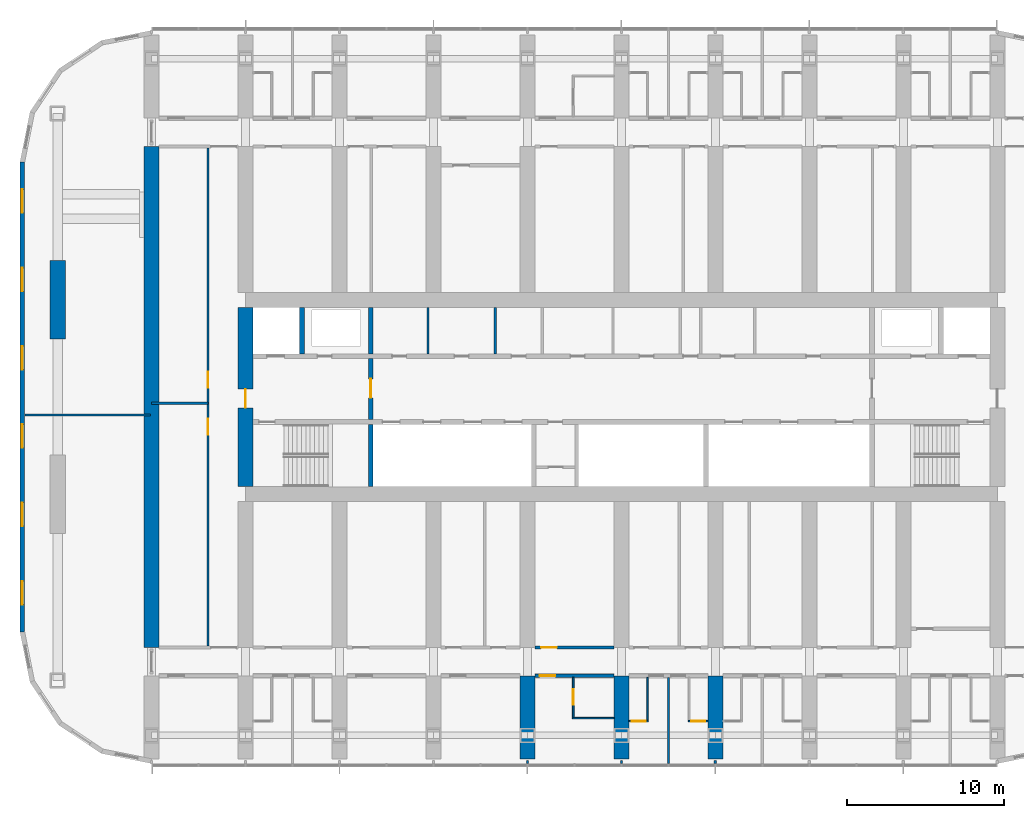
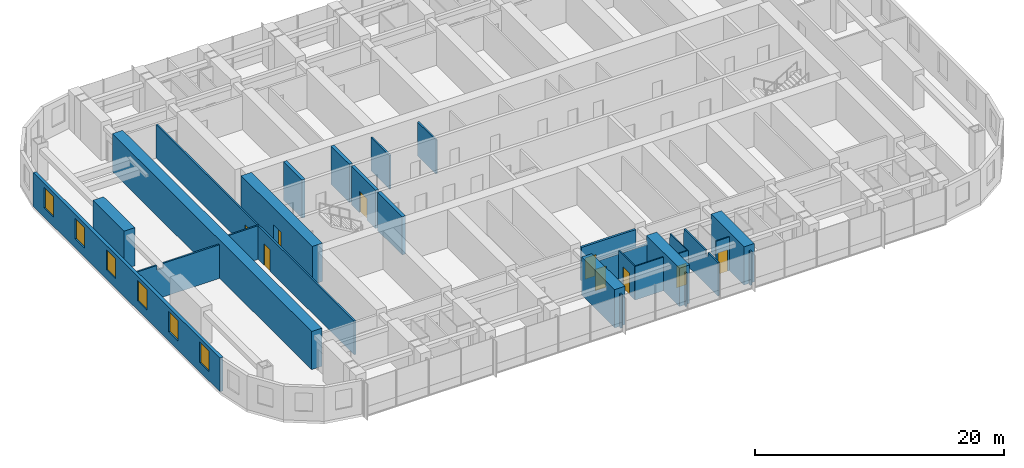
# One storey, part 9 of 21: 27 walls, 9 doors, 6 windows, 15 openings.
"""IFC4 building model written with IfcOpenShell, lengths in metres."""

from ifc_helpers import new_model, si_unit, direction, frame, frame_2d, origin, place, context, subcontext, project, spatial, polyline, rectangle, outline, extrude, material, layer, layer_set, type_object, element, fill, save


model = new_model("IFC4")

# Units and contexts
model_context = context("Model", 3, precision=1e-05, world=origin(), true_north=direction((0.0, 1.0)))
body_context = subcontext(model_context, "Body", "Model", "MODEL_VIEW")
ifc_project = project(units=[si_unit("LENGTHUNIT", "METRE"), si_unit("AREAUNIT", "SQUARE_METRE"), si_unit("VOLUMEUNIT", "CUBIC_METRE"), si_unit("PLANEANGLEUNIT", "RADIAN"), si_unit("MASSUNIT", "GRAM", prefix="KILO")], contexts=[model_context])

# Site, building, storey
site_placement = place(None, origin())
site = spatial("IfcSite", under=ifc_project, at=site_placement, CompositionType="ELEMENT")
building_placement = place(site_placement, origin())
building = spatial("IfcBuilding", under=site, at=building_placement, Name="Orbita Commons", CompositionType="ELEMENT")
storey_placement = place(building_placement, frame((0.0, 0.0, 110.64990234375)))
storey = spatial("IfcBuildingStorey", under=building, at=storey_placement, Name="L27", CompositionType="ELEMENT", Elevation=110.64990234375)

# Wall
ifc_material_1 = material(Name="Concrete C50/60", Category="concrete")
ifc_layer_1 = layer(ifc_material_1, 0.300048828125)
ifc_layer_set_1 = layer_set([ifc_layer_1], Name="Concrete C50/60")
wall_type_1 = type_object("IfcWallType", Name="Core inner wall 300 C50/60", PredefinedType="SHEAR", material=ifc_layer_set_1)
wall_1_placement = place(storey_placement, frame((26.0, 26.27490234375, 0.0), z_axis=(0.0, 0.0, 1.0), x_axis=(0.0, 1.0, 0.0)))
element("IfcWall", 1, at=wall_1_placement, inside=storey, type_object=wall_type_1, Name="Stair S1 wall L27", PredefinedType="SHEAR", context=body_context, shape_type="SweptSolid", body=[
    extrude(rectangle(XDim=3.97509765625, YDim=0.300048828125, at=frame_2d((1.987548828125, 0.0))), origin(), (0.0, 0.0, 1.0), 3.75),
])

# Wall, opening, door
wall_2_placement = place(storey_placement, frame((26.0, 30.550048828125, 0.0), z_axis=(0.0, 0.0, 1.0), x_axis=(0.0, 1.0, 0.0)))
wall_2 = element("IfcWall", 2, at=wall_2_placement, inside=storey, type_object=wall_type_1, Name="Firefighting lobby wall west L27", PredefinedType="SHEAR", context=body_context, shape_type="SweptSolid", body=[
    extrude(rectangle(XDim=3.89990234375, YDim=0.300048828125, at=frame_2d((1.949951171875, 0.0))), origin(), (0.0, 0.0, 1.0), 3.75),
])
opening_1_placement = place(wall_2_placement, frame((1.39990234375, 0.0, 0.0)))
opening_1 = element("IfcOpeningElement", 3, at=opening_1_placement, cuts=wall_2, Name="Opening D04", PredefinedType="OPENING", context=body_context, shape_type="SweptSolid", body=[
    extrude(rectangle(XDim=1.199951171875, YDim=2.10009765625, at=frame_2d((0.60009765625, 1.050048828125))), frame((0.0, 0.159912109375, 0.0), z_axis=(0.0, -1.0, 0.0), x_axis=(1.0, 0.0, 0.0)), (0.0, 0.0, 1.0), 0.320068359375),
])
ifc_material_2 = material(Name="Steel-faced fire door leaf", Category="steel")
door_type_1 = type_object("IfcDoorType", Name="Service door 20 min 1200x2100", OperationType="SINGLE_SWING_LEFT", PredefinedType="DOOR", material=ifc_material_2)
door_1_placement = place(opening_1_placement, origin())
door_1 = element("IfcDoor", 4, at=door_1_placement, inside=storey, type_object=door_type_1, Name="Lift lobby door west", OperationType="SINGLE_SWING_LEFT", OverallHeight=2.10009765625, OverallWidth=1.199951171875, PredefinedType="DOOR", context=body_context, shape_type="SweptSolid", body=[
    extrude(rectangle(XDim=1.199951171875, YDim=2.10009765625, at=frame_2d((0.60009765625, 1.050048828125))), frame((0.0, 0.02490234375, 0.0), z_axis=(0.0, -1.0, 0.0), x_axis=(1.0, 0.0, 0.0)), (0.0, 0.0, 1.0), 0.050048828125),
])
fill(opening_1, door_1)

# Walls
for number, where, z_axis, x_axis, name in (
    (5, (21.60009765625, 34.75, 0.0), (0.0, 0.0, 1.0), (0.0, 1.0, 0.0), "Firefighting lift FL1 shaft wall L27"),
    (6, (26.0, 34.75, 0.0), (0.0, 0.0, 1.0), (0.0, 1.0, 0.0), "Riser wall west L27"),
):
    element("IfcWall", number, at=place(storey_placement, frame(where, z_axis=z_axis, x_axis=x_axis)), inside=storey, type_object=wall_type_1, Name=name, PredefinedType="SHEAR", context=body_context, shape_type="SweptSolid", body=[
        extrude(rectangle(XDim=2.97509765625, YDim=0.300048828125, at=frame_2d((1.487548828125, 0.0))), origin(), (0.0, 0.0, 1.0), 3.75),
    ])
ifc_material_3 = material(Name="Concrete blockwork", Category="masonry")
ifc_layer_2 = layer(ifc_material_3, 0.14990234375)
ifc_layer_set_2 = layer_set([ifc_layer_2], Name="Concrete blockwork")
wall_type_2 = type_object("IfcWallType", Name="Core partition 150 blockwork", PredefinedType="SOLIDWALL", material=ifc_layer_set_2)
for number, where, z_axis, x_axis, name in (
    (7, (29.65087890625, 34.75, 0.0), (0.0, 0.0, 1.0), (0.0, 1.0, 0.0), "Core partition 150 blockwork L27"),
    (8, (33.9462890625, 34.75, 0.0), (0.0, 0.0, 1.0), (0.0, 1.0, 0.0), "Core partition 150 blockwork L27"),
):
    element("IfcWall", number, at=place(storey_placement, frame(where, z_axis=z_axis, x_axis=x_axis)), inside=storey, type_object=wall_type_2, Name=name, PredefinedType="SOLIDWALL", context=body_context, shape_type="SweptSolid", body=[
        extrude(rectangle(XDim=2.97509765625, YDim=0.14990234375, at=frame_2d((1.487548828125, 0.0))), origin(), (0.0, 0.0, 1.0), 3.300048828125),
    ])

# Wall, opening, door
ifc_material_4 = material(Name="Concrete C50/60", Category="concrete")
ifc_layer_3 = layer(ifc_material_4, 0.949951171875)
ifc_layer_set_3 = layer_set([ifc_layer_3], Name="Concrete C50/60")
wall_type_3 = type_object("IfcWallType", Name="Core wall 950 C50/60", PredefinedType="SHEAR", material=ifc_layer_set_3)
wall_3_placement = place(storey_placement, frame((18.0, 26.27490234375, 0.0), z_axis=(0.0, 0.0, 1.0), x_axis=(0.0, 1.0, 0.0)))
wall_3 = element("IfcWall", 9, at=wall_3_placement, inside=storey, type_object=wall_type_3, Name="Core end wall west L27", PredefinedType="SHEAR", context=body_context, shape_type="SweptSolid", body=[
    extrude(rectangle(XDim=11.4501953125, YDim=0.949951171875, at=frame_2d((5.72509765625, 0.0))), origin(), (0.0, 0.0, 1.0), 3.75),
])
opening_2_placement = place(wall_3_placement, frame((5.02490234375, 0.0, 0.0)))
opening_2 = element("IfcOpeningElement", 10, at=opening_2_placement, cuts=wall_3, Name="Opening D01", PredefinedType="OPENING", context=body_context, shape_type="SweptSolid", body=[
    extrude(rectangle(XDim=1.199951171875, YDim=2.10009765625, at=frame_2d((0.60009765625, 1.050048828125))), frame((0.0, 0.48486328125, 0.0), z_axis=(0.0, -1.0, 0.0), x_axis=(1.0, 0.0, 0.0)), (0.0, 0.0, 1.0), 0.969970703125),
])
ifc_material_5 = material(Name="Steel-faced fire door leaf", Category="steel")
door_type_2 = type_object("IfcDoorType", Name="Fire door 90 min 1200x2100", OperationType="SINGLE_SWING_LEFT", PredefinedType="DOOR", material=ifc_material_5)
door_2_placement = place(opening_2_placement, origin())
door_2 = element("IfcDoor", 11, at=door_2_placement, inside=storey, type_object=door_type_2, Name="Firefighting lobby west door", OperationType="SINGLE_SWING_LEFT", OverallHeight=2.10009765625, OverallWidth=1.199951171875, PredefinedType="DOOR", context=body_context, shape_type="SweptSolid", body=[
    extrude(rectangle(XDim=1.199951171875, YDim=2.10009765625, at=frame_2d((0.60009765625, 1.050048828125))), frame((0.0, 0.02490234375, 0.0), z_axis=(0.0, -1.0, 0.0), x_axis=(1.0, 0.0, 0.0)), (0.0, 0.0, 1.0), 0.050048828125),
])
fill(opening_2, door_2)

ifc_material_6 = material(Name="Concrete blockwork", Category="masonry")
ifc_layer_4 = layer(ifc_material_6, 0.199951171875)
ifc_layer_set_4 = layer_set([ifc_layer_4], Name="Concrete blockwork")
wall_type_4 = type_object("IfcWallType", Name="Corridor wall 200 blockwork", PredefinedType="SOLIDWALL", material=ifc_layer_set_4)
wall_4_placement = place(storey_placement, frame((36.47509765625, 14.199951171875, 0.0), z_axis=(0.0, 0.0, 1.0), x_axis=(1.0, 0.0, 0.0)))
wall_4 = element("IfcWall", 12, at=wall_4_placement, inside=storey, type_object=wall_type_4, Name="Corridor wall 200 blockwork L27", PredefinedType="SOLIDWALL", context=body_context, shape_type="SweptSolid", body=[
    extrude(outline(polyline([(0.0, 0.0), (5.0498046875, 0.0), (5.050048828125, 2.900146484375), (0.0, 2.900146484375), (0.0, 0.0)])), frame((0.0, 0.10009765625, 0.0), z_axis=(0.0, -1.0, 0.0), x_axis=(1.0, 0.0, 0.0)), (0.0, 0.0, 1.0), 0.199951171875),
])
opening_3_placement = place(wall_4_placement, frame((0.300048828125, 0.0, 0.0)))
opening_3 = element("IfcOpeningElement", 13, at=opening_3_placement, cuts=wall_4, Name="Opening D06", PredefinedType="OPENING", context=body_context, shape_type="SweptSolid", body=[
    extrude(rectangle(XDim=1.0, YDim=2.10009765625, at=frame_2d((0.5, 1.050048828125))), frame((0.0, 0.10986328125, 0.0), z_axis=(0.0, -1.0, 0.0), x_axis=(1.0, 0.0, 0.0)), (0.0, 0.0, 1.0), 0.219970703125),
])
ifc_material_7 = material(Name="Steel-faced fire door leaf", Category="steel")
door_type_3 = type_object("IfcDoorType", Name="Corridor door 20 min 1000x2100", OperationType="SINGLE_SWING_LEFT", PredefinedType="DOOR", material=ifc_material_7)
door_3_placement = place(opening_3_placement, origin())
door_3 = element("IfcDoor", 14, at=door_3_placement, inside=storey, type_object=door_type_3, Name="Accessible bedroom L27-S08 door", OperationType="SINGLE_SWING_LEFT", OverallHeight=2.10009765625, OverallWidth=1.0, PredefinedType="DOOR", context=body_context, shape_type="SweptSolid", body=[
    extrude(rectangle(XDim=1.0, YDim=2.10009765625, at=frame_2d((0.5, 1.050048828125))), frame((0.0, 0.02490234375, 0.0), z_axis=(0.0, -1.0, 0.0), x_axis=(1.0, 0.0, 0.0)), (0.0, 0.0, 1.0), 0.050048828125),
])
fill(opening_3, door_3)

ifc_material_8 = material(Name="Hollow concrete block 200", Category="concrete")
ifc_layer_5 = layer(ifc_material_8, 0.199951171875)
ifc_layer_set_5 = layer_set([ifc_layer_5], Name="Hollow concrete block 200")
wall_type_5 = type_object("IfcWallType", Name="Corridor wall 200 hollow concrete block", PredefinedType="SOLIDWALL", material=ifc_layer_set_5)
wall_5_placement = place(storey_placement, frame((36.47509765625, 16.0, 0.0), z_axis=(0.0, 0.0, 1.0), x_axis=(1.0, 0.0, 0.0)))
wall_5 = element("IfcWall", 15, at=wall_5_placement, inside=storey, type_object=wall_type_5, Name="Corridor wall 200 hollow concrete block L27", PredefinedType="SOLIDWALL", context=body_context, shape_type="SweptSolid", body=[
    extrude(rectangle(XDim=5.0498046875, YDim=0.199951171875, at=frame_2d((2.52490234375, 0.0))), origin(), (0.0, 0.0, 1.0), 3.300048828125),
])
opening_4_placement = place(wall_5_placement, frame((0.39990234375, 0.0, 0.0)))
opening_4 = element("IfcOpeningElement", 16, at=opening_4_placement, cuts=wall_5, Name="Opening D06", PredefinedType="OPENING", context=body_context, shape_type="SweptSolid", body=[
    extrude(rectangle(XDim=1.0, YDim=2.10009765625, at=frame_2d((0.5, 1.050048828125))), frame((0.0, 0.10986328125, 0.0), z_axis=(0.0, -1.0, 0.0), x_axis=(1.0, 0.0, 0.0)), (0.0, 0.0, 1.0), 0.219970703125),
])
door_4_placement = place(opening_4_placement, origin())
door_4 = element("IfcDoor", 17, at=door_4_placement, inside=storey, type_object=door_type_3, Name="IT and print room L27-BDS36 door", OperationType="SINGLE_SWING_LEFT", OverallHeight=2.10009765625, OverallWidth=1.0, PredefinedType="DOOR", context=body_context, shape_type="SweptSolid", body=[
    extrude(rectangle(XDim=1.0, YDim=2.10009765625, at=frame_2d((0.5, 1.050048828125))), frame((0.0, 0.02490234375, 0.0), z_axis=(0.0, -1.0, 0.0), x_axis=(1.0, 0.0, 0.0)), (0.0, 0.0, 1.0), 0.050048828125),
])
fill(opening_4, door_4)

# Walls
ifc_material_9 = material(Name="Concrete C50/60", Category="concrete")
ifc_layer_6 = layer(ifc_material_9, 0.949951171875)
ifc_layer_set_6 = layer_set([ifc_layer_6], Name="Concrete C50/60")
wall_type_6 = type_object("IfcWallType", Name="Cross wall 950 C50/60", PredefinedType="SHEAR", material=ifc_layer_set_6)
wall_6_placement = place(storey_placement, frame((12.0, 16.0, 0.0), z_axis=(0.0, 0.0, 1.0), x_axis=(0.0, 1.0, 0.0)))
element("IfcWall", 18, at=wall_6_placement, inside=storey, type_object=wall_type_6, Name="Cross wall 3 inner L27", PredefinedType="SHEAR", context=body_context, shape_type="SweptSolid", body=[
    extrude(rectangle(XDim=32.0, YDim=0.949951171875, at=frame_2d((16.0, 0.0))), origin(), (0.0, 0.0, 1.0), 3.75),
])
for number, where, z_axis, x_axis, name in (
    (19, (36.0, 8.89990234375, 0.0), (0.0, 0.0, 1.0), (0.0, 1.0, 0.0), "Cross wall 7 south outer L27"),
    (20, (42.0, 8.89990234375, 0.0), (0.0, 0.0, 1.0), (0.0, 1.0, 0.0), "Cross wall 8 south outer L27"),
    (21, (48.0, 8.89990234375, 0.0), (0.0, 0.0, 1.0), (0.0, 1.0, 0.0), "Cross wall 9 south outer L27"),
):
    element("IfcWall", number, at=place(storey_placement, frame(where, z_axis=z_axis, x_axis=x_axis)), inside=storey, type_object=wall_type_6, Name=name, PredefinedType="SHEAR", context=body_context, shape_type="SweptSolid", body=[
        extrude(rectangle(XDim=5.300048828125, YDim=0.949951171875, at=frame_2d((2.64990234375, 0.0))), origin(), (0.0, 0.0, 1.0), 3.75),
    ])
ifc_material_10 = material(Name="Moisture-resistant plasterboard on steel studs", Category="steel")
ifc_layer_7 = layer(ifc_material_10, 0.10009765625)
ifc_layer_set_7 = layer_set([ifc_layer_7], Name="Moisture-resistant plasterboard on steel studs")
wall_type_7 = type_object("IfcWallType", Name="En-suite partition 100", PredefinedType="PARTITIONING", material=ifc_layer_set_7)
wall_7_placement = place(storey_placement, frame((38.875, 11.5, 0.0), z_axis=(0.0, 0.0, 1.0), x_axis=(1.0, 0.0, 0.0)))
element("IfcWall", 22, at=wall_7_placement, inside=storey, type_object=wall_type_7, Name="En-suite partition 100 L27", PredefinedType="PARTITIONING", context=body_context, shape_type="SweptSolid", body=[
    extrude(rectangle(XDim=2.64990234375, YDim=0.10009765625, at=frame_2d((1.324951171875, 0.0))), origin(), (0.0, 0.0, 1.0), 3.300048828125),
])

# Wall, opening, door
wall_8_placement = place(storey_placement, frame((38.925048828125, 11.550048828125, 0.0), z_axis=(0.0, 0.0, 1.0), x_axis=(0.0, 1.0, 0.0)))
wall_8 = element("IfcWall", 23, at=wall_8_placement, inside=storey, type_object=wall_type_7, Name="En-suite partition 100 L27", PredefinedType="PARTITIONING", context=body_context, shape_type="SweptSolid", body=[
    extrude(outline(polyline([(0.0, 0.0), (2.550048828125, 0.0), (2.550048828125, 2.900146484375), (2.501953125, 2.900146484375), (2.5, 3.300048828125), (0.0, 3.300048828125), (0.0, 0.0)])), frame((0.0, 0.050048828125, 0.0), z_axis=(0.0, -1.0, 0.0), x_axis=(1.0, 0.0, 0.0)), (0.0, 0.0, 1.0), 0.10009765625),
])
opening_5_placement = place(wall_8_placement, frame((0.800048828125, 0.0, 0.0)))
opening_5 = element("IfcOpeningElement", 24, at=opening_5_placement, cuts=wall_8, Name="Opening D13", PredefinedType="OPENING", context=body_context, shape_type="SweptSolid", body=[
    extrude(rectangle(XDim=1.0, YDim=2.10009765625, at=frame_2d((0.5, 1.050048828125))), frame((0.0, 0.06005859375, 0.0), z_axis=(0.0, -1.0, 0.0), x_axis=(1.0, 0.0, 0.0)), (0.0, 0.0, 1.0), 0.1201171875),
])
ifc_material_11 = material(Name="Laminated timber door leaf", Category="wood")
door_type_4 = type_object("IfcDoorType", Name="En-suite door 1000x2100", OperationType="SINGLE_SWING_RIGHT", PredefinedType="DOOR", material=ifc_material_11)
door_5_placement = place(opening_5_placement, origin())
door_5 = element("IfcDoor", 25, at=door_5_placement, inside=storey, type_object=door_type_4, Name="Accessible shower room L27-S08 door", OperationType="SINGLE_SWING_RIGHT", OverallHeight=2.10009765625, OverallWidth=1.0, PredefinedType="DOOR", context=body_context, shape_type="SweptSolid", body=[
    extrude(rectangle(XDim=1.0, YDim=2.10009765625, at=frame_2d((0.5, 1.050048828125))), frame((0.0, 0.02490234375, 0.0), z_axis=(0.0, -1.0, 0.0), x_axis=(1.0, 0.0, 0.0)), (0.0, 0.0, 1.0), 0.050048828125),
])
fill(opening_5, door_5)

wall_9_placement = place(storey_placement, frame((43.72509765625, 11.300048828125, 0.0), z_axis=(0.0, 0.0, 1.0), x_axis=(-1.0, 0.0, 0.0)))
wall_9 = element("IfcWall", 26, at=wall_9_placement, inside=storey, type_object=wall_type_7, Name="En-suite partition 100 L27", PredefinedType="PARTITIONING", context=body_context, shape_type="SweptSolid", body=[
    extrude(rectangle(XDim=1.25, YDim=0.10009765625, at=frame_2d((0.625, 0.0))), origin(), (0.0, 0.0, 1.0), 3.300048828125),
])
opening_6_placement = place(wall_9_placement, frame((0.175048828125, 0.0, 0.0)))
opening_6 = element("IfcOpeningElement", 27, at=opening_6_placement, cuts=wall_9, Name="Opening D09", PredefinedType="OPENING", context=body_context, shape_type="SweptSolid", body=[
    extrude(rectangle(XDim=0.89990234375, YDim=2.10009765625, at=frame_2d((0.449951171875, 1.050048828125))), frame((0.0, 0.06005859375, 0.0), z_axis=(0.0, -1.0, 0.0), x_axis=(1.0, 0.0, 0.0)), (0.0, 0.0, 1.0), 0.1201171875),
])
ifc_material_12 = material(Name="Laminated timber door leaf", Category="wood")
door_type_5 = type_object("IfcDoorType", Name="En-suite door 900x2100", OperationType="SINGLE_SWING_RIGHT", PredefinedType="DOOR", material=ifc_material_12)
door_6_placement = place(opening_6_placement, origin())
door_6 = element("IfcDoor", 28, at=door_6_placement, inside=storey, type_object=door_type_5, Name="En-suite L27-S10 door", OperationType="SINGLE_SWING_RIGHT", OverallHeight=2.10009765625, OverallWidth=0.89990234375, PredefinedType="DOOR", context=body_context, shape_type="SweptSolid", body=[
    extrude(rectangle(XDim=0.89990234375, YDim=2.10009765625, at=frame_2d((0.449951171875, 1.050048828125))), frame((0.0, 0.02490234375, 0.0), z_axis=(0.0, -1.0, 0.0), x_axis=(1.0, 0.0, 0.0)), (0.0, 0.0, 1.0), 0.050048828125),
])
fill(opening_6, door_6)

# Wall
wall_10_placement = place(storey_placement, frame((43.675048828125, 11.35009765625, 0.0), z_axis=(0.0, 0.0, 1.0), x_axis=(0.0, 1.0, 0.0)))
element("IfcWall", 29, at=wall_10_placement, inside=storey, type_object=wall_type_7, Name="En-suite partition 100 L27", PredefinedType="PARTITIONING", context=body_context, shape_type="SweptSolid", body=[
    extrude(outline(polyline([(0.0, 0.0), (2.75, 0.0), (2.75, 2.900146484375), (2.701904296875, 2.900146484375), (2.699951171875, 3.300048828125), (0.0, 3.300048828125), (0.0, 0.0)])), frame((0.0, 0.050048828125, 0.0), z_axis=(0.0, -1.0, 0.0), x_axis=(1.0, 0.0, 0.0)), (0.0, 0.0, 1.0), 0.10009765625),
])

# Wall, opening, door
wall_11_placement = place(storey_placement, frame((47.52490234375, 11.300048828125, 0.0), z_axis=(0.0, 0.0, 1.0), x_axis=(-1.0, 0.0, 0.0)))
wall_11 = element("IfcWall", 30, at=wall_11_placement, inside=storey, type_object=wall_type_7, Name="En-suite partition 100 L27", PredefinedType="PARTITIONING", context=body_context, shape_type="SweptSolid", body=[
    extrude(rectangle(XDim=1.25, YDim=0.10009765625, at=frame_2d((0.625, 0.0))), origin(), (0.0, 0.0, 1.0), 3.300048828125),
])
opening_7_placement = place(wall_11_placement, frame((0.175048828125, 0.0, 0.0)))
opening_7 = element("IfcOpeningElement", 31, at=opening_7_placement, cuts=wall_11, Name="Opening D09", PredefinedType="OPENING", context=body_context, shape_type="SweptSolid", body=[
    extrude(rectangle(XDim=0.89990234375, YDim=2.10009765625, at=frame_2d((0.449951171875, 1.050048828125))), frame((0.0, 0.06005859375, 0.0), z_axis=(0.0, -1.0, 0.0), x_axis=(1.0, 0.0, 0.0)), (0.0, 0.0, 1.0), 0.1201171875),
])
door_7_placement = place(opening_7_placement, origin())
door_7 = element("IfcDoor", 32, at=door_7_placement, inside=storey, type_object=door_type_5, Name="En-suite L27-S11 door", OperationType="SINGLE_SWING_RIGHT", OverallHeight=2.10009765625, OverallWidth=0.89990234375, PredefinedType="DOOR", context=body_context, shape_type="SweptSolid", body=[
    extrude(rectangle(XDim=0.89990234375, YDim=2.10009765625, at=frame_2d((0.449951171875, 1.050048828125))), frame((0.0, 0.02490234375, 0.0), z_axis=(0.0, -1.0, 0.0), x_axis=(1.0, 0.0, 0.0)), (0.0, 0.0, 1.0), 0.050048828125),
])
fill(opening_7, door_7)

# Wall
ifc_material_13 = material(Name="Concrete C50/60", Category="concrete")
ifc_layer_8 = layer(ifc_material_13, 1.0)
ifc_layer_set_8 = layer_set([ifc_layer_8], Name="Concrete C50/60")
wall_type_8 = type_object("IfcWallType", Name="End pier 1000x5000 C50/60", PredefinedType="SHEAR", material=ifc_layer_set_8)
wall_12_placement = place(storey_placement, frame((6.0, 35.699951171875, 0.0), z_axis=(0.0, 0.0, 1.0), x_axis=(0.0, 1.0, 0.0)))
element("IfcWall", 33, at=wall_12_placement, inside=storey, type_object=wall_type_8, Name="End pier 2/D L27", PredefinedType="SHEAR", context=body_context, shape_type="SweptSolid", body=[
    extrude(rectangle(XDim=5.0, YDim=1.0, at=frame_2d((2.5, 0.0))), origin(), (0.0, 0.0, 1.0), 3.75),
])

# Wall, openings, doors
ifc_material_14 = material(Name="Gypsum plasterboard on steel studs", Category="steel")
ifc_layer_9 = layer(ifc_material_14, 0.14990234375)
ifc_layer_set_9 = layer_set([ifc_layer_9], Name="Gypsum plasterboard on steel studs")
wall_type_9 = type_object("IfcWallType", Name="Partition 150 plasterboard", PredefinedType="PARTITIONING", material=ifc_layer_set_9)
wall_13_placement = place(storey_placement, frame((15.60009765625, 16.10009765625, 0.0), z_axis=(0.0, 0.0, 1.0), x_axis=(0.0, 1.0, 0.0)))
wall_13 = element("IfcWall", 34, at=wall_13_placement, inside=storey, type_object=wall_type_9, Name="Partition 150 plasterboard L27", PredefinedType="PARTITIONING", context=body_context, shape_type="SweptSolid", body=[
    extrude(rectangle(XDim=31.7998046875, YDim=0.14990234375, at=frame_2d((15.89990234375, 0.0))), origin(), (0.0, 0.0, 1.0), 3.300048828125),
])
opening_8_placement = place(wall_13_placement, frame((13.5, 0.0, 0.0)))
opening_8 = element("IfcOpeningElement", 35, at=opening_8_placement, cuts=wall_13, Name="Opening D06", PredefinedType="OPENING", context=body_context, shape_type="SweptSolid", body=[
    extrude(rectangle(XDim=1.0, YDim=2.10009765625, at=frame_2d((0.5, 1.050048828125))), frame((0.0, 0.0849609375, 0.0), z_axis=(0.0, -1.0, 0.0), x_axis=(1.0, 0.0, 0.0)), (0.0, 0.0, 1.0), 0.169921875),
])
opening_9_placement = place(wall_13_placement, frame((16.5, 0.0, 0.0)))
opening_9 = element("IfcOpeningElement", 36, at=opening_9_placement, cuts=wall_13, Name="Opening D06", PredefinedType="OPENING", context=body_context, shape_type="SweptSolid", body=[
    extrude(rectangle(XDim=1.0, YDim=2.10009765625, at=frame_2d((0.5, 1.050048828125))), frame((0.0, 0.0849609375, 0.0), z_axis=(0.0, -1.0, 0.0), x_axis=(1.0, 0.0, 0.0)), (0.0, 0.0, 1.0), 0.169921875),
])
door_8_placement = place(opening_8_placement, origin())
door_8 = element("IfcDoor", 37, at=door_8_placement, inside=storey, type_object=door_type_3, Name="Interview room door", OperationType="SINGLE_SWING_LEFT", OverallHeight=2.10009765625, OverallWidth=1.0, PredefinedType="DOOR", context=body_context, shape_type="SweptSolid", body=[
    extrude(rectangle(XDim=1.0, YDim=2.10009765625, at=frame_2d((0.5, 1.050048828125))), frame((0.0, 0.02490234375, 0.0), z_axis=(0.0, -1.0, 0.0), x_axis=(1.0, 0.0, 0.0)), (0.0, 0.0, 1.0), 0.050048828125),
])
fill(opening_8, door_8)
door_9_placement = place(opening_9_placement, origin())
door_9 = element("IfcDoor", 38, at=door_9_placement, inside=storey, type_object=door_type_3, Name="Prayer room door", OperationType="SINGLE_SWING_LEFT", OverallHeight=2.10009765625, OverallWidth=1.0, PredefinedType="DOOR", context=body_context, shape_type="SweptSolid", body=[
    extrude(rectangle(XDim=1.0, YDim=2.10009765625, at=frame_2d((0.5, 1.050048828125))), frame((0.0, 0.02490234375, 0.0), z_axis=(0.0, -1.0, 0.0), x_axis=(1.0, 0.0, 0.0)), (0.0, 0.0, 1.0), 0.050048828125),
])
fill(opening_9, door_9)

# Walls
wall_14_placement = place(storey_placement, frame((12.0, 31.60009765625, 0.0), z_axis=(0.0, 0.0, 1.0), x_axis=(1.0, 0.0, 0.0)))
element("IfcWall", 39, at=wall_14_placement, inside=storey, type_object=wall_type_9, Name="Partition 150 plasterboard L27", PredefinedType="PARTITIONING", context=body_context, shape_type="SweptSolid", body=[
    extrude(rectangle(XDim=3.60009765625, YDim=0.14990234375, at=frame_2d((1.800048828125, 0.0))), origin(), (0.0, 0.0, 1.0), 3.300048828125),
])
wall_15_placement = place(storey_placement, frame((3.905029296875, 30.85009765625, 0.0), z_axis=(0.0, 0.0, 1.0), x_axis=(1.0, 0.0, 0.0)))
element("IfcWall", 40, at=wall_15_placement, inside=storey, type_object=wall_type_9, Name="Partition 150 plasterboard L27", PredefinedType="PARTITIONING", context=body_context, shape_type="SweptSolid", body=[
    extrude(outline(polyline([(0.0, 0.0), (8.02001953125, 0.0), (8.02001953125, 3.300048828125), (2.39697265625, 3.300048828125), (2.39501953125, 2.85009765625), (1.797119140625, 2.85009765625), (1.794921875, 3.300048828125), (0.0, 3.300048828125), (0.0, 0.0)])), frame((0.0, 0.074951171875, 0.0), z_axis=(0.0, -1.0, 0.0), x_axis=(1.0, 0.0, 0.0)), (0.0, 0.0, 1.0), 0.14990234375),
])
for number, where, z_axis, x_axis, name in (
    (41, (36.0, 8.800048828125, 0.0), (0.0, 0.0, 1.0), (0.0, -1.0, 0.0), "Partition 150 plasterboard L27"),
    (42, (42.0, 8.800048828125, 0.0), (0.0, 0.0, 1.0), (0.0, -1.0, 0.0), "Partition 150 plasterboard L27"),
    (43, (48.0, 8.800048828125, 0.0), (0.0, 0.0, 1.0), (0.0, -1.0, 0.0), "Partition 150 plasterboard L27"),
):
    element("IfcWall", number, at=place(storey_placement, frame(where, z_axis=z_axis, x_axis=x_axis)), inside=storey, type_object=wall_type_9, Name=name, PredefinedType="PARTITIONING", context=body_context, shape_type="SweptSolid", body=[
        extrude(rectangle(XDim=0.18994140625, YDim=0.14990234375, at=frame_2d((0.094970703125, 0.0))), origin(), (0.0, 0.0, 1.0), 3.300048828125),
    ])
ifc_material_15 = material(Name="Gypsum plasterboard on steel studs", Category="steel")
ifc_layer_10 = layer(ifc_material_15, 0.14990234375)
ifc_layer_set_10 = layer_set([ifc_layer_10], Name="Gypsum plasterboard on steel studs")
wall_type_10 = type_object("IfcWallType", Name="Party wall 150 plasterboard", PredefinedType="PARTITIONING", material=ifc_layer_set_10)
wall_16_placement = place(storey_placement, frame((45.0, 8.610107421875, 0.0), z_axis=(0.0, 0.0, 1.0), x_axis=(0.0, 1.0, 0.0)))
element("IfcWall", 44, at=wall_16_placement, inside=storey, type_object=wall_type_10, Name="Party wall 150 plasterboard L27", PredefinedType="PARTITIONING", context=body_context, shape_type="SweptSolid", body=[
    extrude(outline(polyline([(0.0, 0.0), (5.489990234375, 0.0), (5.489990234375, 2.900146484375), (5.44189453125, 2.900146484375), (5.43994140625, 3.300048828125), (1.991943359375, 3.300048828125), (1.989990234375, 2.900146484375), (1.592041015625, 2.900146484375), (1.590087890625, 3.300048828125), (0.0, 3.300048828125), (0.0, 0.0)])), frame((0.0, 0.074951171875, 0.0), z_axis=(0.0, -1.0, 0.0), x_axis=(1.0, 0.0, 0.0)), (0.0, 0.0, 1.0), 0.14990234375),
])

# Wall, openings, windows
ifc_material_16 = material(Name="Precast concrete C40/50, white board-marked finish", Category="concrete")
ifc_layer_11 = layer(ifc_material_16, 0.300048828125)
ifc_layer_set_11 = layer_set([ifc_layer_11], Name="Precast concrete C40/50, white board-marked finish")
wall_type_11 = type_object("IfcWallType", Name="Precast concrete end shield 300", PredefinedType="SOLIDWALL", material=ifc_layer_set_11)
wall_17_placement = place(storey_placement, frame((3.75, 47.0, 0.0), z_axis=(0.0, 0.0, 1.0), x_axis=(0.0, -1.0, 0.0)))
wall_17 = element("IfcWall", 45, at=wall_17_placement, inside=storey, type_object=wall_type_11, Name="End shield W L27", PredefinedType="SOLIDWALL", context=body_context, shape_type="SweptSolid", body=[
    extrude(outline(polyline([(-0.014892578125, -0.14990234375), (30.014892578125, -0.14990234375), (29.985107421875, 0.14990234375), (0.014892578125, 0.14990234375), (-0.014892578125, -0.14990234375)])), origin(), (0.0, 0.0, 1.0), 3.300048828125),
])
opening_10_placement = place(wall_17_placement, frame((1.75, 0.0, 0.89990234375)))
opening_10 = element("IfcOpeningElement", 46, at=opening_10_placement, cuts=wall_17, Name="Opening W01", PredefinedType="OPENING", context=body_context, shape_type="SweptSolid", body=[
    extrude(rectangle(XDim=1.5, YDim=2.0, at=frame_2d((0.75, 1.0))), frame((0.0, 0.159912109375, 0.0), z_axis=(0.0, -1.0, 0.0), x_axis=(1.0, 0.0, 0.0)), (0.0, 0.0, 1.0), 0.320068359375),
])
opening_11_placement = place(wall_17_placement, frame((6.75, 0.0, 0.89990234375)))
opening_11 = element("IfcOpeningElement", 47, at=opening_11_placement, cuts=wall_17, Name="Opening W01", PredefinedType="OPENING", context=body_context, shape_type="SweptSolid", body=[
    extrude(rectangle(XDim=1.5, YDim=2.0, at=frame_2d((0.75, 1.0))), frame((0.0, 0.159912109375, 0.0), z_axis=(0.0, -1.0, 0.0), x_axis=(1.0, 0.0, 0.0)), (0.0, 0.0, 1.0), 0.320068359375),
])
opening_12_placement = place(wall_17_placement, frame((11.75, 0.0, 0.89990234375)))
opening_12 = element("IfcOpeningElement", 48, at=opening_12_placement, cuts=wall_17, Name="Opening W01", PredefinedType="OPENING", context=body_context, shape_type="SweptSolid", body=[
    extrude(rectangle(XDim=1.5, YDim=2.0, at=frame_2d((0.75, 1.0))), frame((0.0, 0.159912109375, 0.0), z_axis=(0.0, -1.0, 0.0), x_axis=(1.0, 0.0, 0.0)), (0.0, 0.0, 1.0), 0.320068359375),
])
opening_13_placement = place(wall_17_placement, frame((16.75, 0.0, 0.89990234375)))
opening_13 = element("IfcOpeningElement", 49, at=opening_13_placement, cuts=wall_17, Name="Opening W01", PredefinedType="OPENING", context=body_context, shape_type="SweptSolid", body=[
    extrude(rectangle(XDim=1.5, YDim=2.0, at=frame_2d((0.75, 1.0))), frame((0.0, 0.159912109375, 0.0), z_axis=(0.0, -1.0, 0.0), x_axis=(1.0, 0.0, 0.0)), (0.0, 0.0, 1.0), 0.320068359375),
])
opening_14_placement = place(wall_17_placement, frame((21.75, 0.0, 0.89990234375)))
opening_14 = element("IfcOpeningElement", 50, at=opening_14_placement, cuts=wall_17, Name="Opening W01", PredefinedType="OPENING", context=body_context, shape_type="SweptSolid", body=[
    extrude(rectangle(XDim=1.5, YDim=2.0, at=frame_2d((0.75, 1.0))), frame((0.0, 0.159912109375, 0.0), z_axis=(0.0, -1.0, 0.0), x_axis=(1.0, 0.0, 0.0)), (0.0, 0.0, 1.0), 0.320068359375),
])
opening_15_placement = place(wall_17_placement, frame((26.75, 0.0, 0.89990234375)))
opening_15 = element("IfcOpeningElement", 51, at=opening_15_placement, cuts=wall_17, Name="Opening W01", PredefinedType="OPENING", context=body_context, shape_type="SweptSolid", body=[
    extrude(rectangle(XDim=1.5, YDim=2.0, at=frame_2d((0.75, 1.0))), frame((0.0, 0.159912109375, 0.0), z_axis=(0.0, -1.0, 0.0), x_axis=(1.0, 0.0, 0.0)), (0.0, 0.0, 1.0), 0.320068359375),
])
ifc_material_17 = material(Name="Aluminium frame, clear double glazing", Category="aluminium")
window_type = type_object("IfcWindowType", Name="Deep-set window 1500x2000", PartitioningType="SINGLE_PANEL", PredefinedType="WINDOW", material=ifc_material_17)
window_1_placement = place(opening_10_placement, origin())
window_1 = element("IfcWindow", 52, at=window_1_placement, inside=storey, type_object=window_type, Name="Window L27-W 1", OverallHeight=2.0, OverallWidth=1.5, PartitioningType="SINGLE_PANEL", PredefinedType="WINDOW", context=body_context, shape_type="SweptSolid", body=[
    extrude(rectangle(XDim=1.5, YDim=2.0, at=frame_2d((0.75, 1.0))), frame((0.0, 0.030029296875, 0.0), z_axis=(0.0, -1.0, 0.0), x_axis=(1.0, 0.0, 0.0)), (0.0, 0.0, 1.0), 0.06005859375),
])
fill(opening_10, window_1)
window_2_placement = place(opening_11_placement, origin())
window_2 = element("IfcWindow", 53, at=window_2_placement, inside=storey, type_object=window_type, Name="Window L27-W 2", OverallHeight=2.0, OverallWidth=1.5, PartitioningType="SINGLE_PANEL", PredefinedType="WINDOW", context=body_context, shape_type="SweptSolid", body=[
    extrude(rectangle(XDim=1.5, YDim=2.0, at=frame_2d((0.75, 1.0))), frame((0.0, 0.030029296875, 0.0), z_axis=(0.0, -1.0, 0.0), x_axis=(1.0, 0.0, 0.0)), (0.0, 0.0, 1.0), 0.06005859375),
])
fill(opening_11, window_2)
window_3_placement = place(opening_12_placement, origin())
window_3 = element("IfcWindow", 54, at=window_3_placement, inside=storey, type_object=window_type, Name="Window L27-W 3", OverallHeight=2.0, OverallWidth=1.5, PartitioningType="SINGLE_PANEL", PredefinedType="WINDOW", context=body_context, shape_type="SweptSolid", body=[
    extrude(rectangle(XDim=1.5, YDim=2.0, at=frame_2d((0.75, 1.0))), frame((0.0, 0.030029296875, 0.0), z_axis=(0.0, -1.0, 0.0), x_axis=(1.0, 0.0, 0.0)), (0.0, 0.0, 1.0), 0.06005859375),
])
fill(opening_12, window_3)
window_4_placement = place(opening_13_placement, origin())
window_4 = element("IfcWindow", 55, at=window_4_placement, inside=storey, type_object=window_type, Name="Window L27-W 4", OverallHeight=2.0, OverallWidth=1.5, PartitioningType="SINGLE_PANEL", PredefinedType="WINDOW", context=body_context, shape_type="SweptSolid", body=[
    extrude(rectangle(XDim=1.5, YDim=2.0, at=frame_2d((0.75, 1.0))), frame((0.0, 0.030029296875, 0.0), z_axis=(0.0, -1.0, 0.0), x_axis=(1.0, 0.0, 0.0)), (0.0, 0.0, 1.0), 0.06005859375),
])
fill(opening_13, window_4)
window_5_placement = place(opening_14_placement, origin())
window_5 = element("IfcWindow", 56, at=window_5_placement, inside=storey, type_object=window_type, Name="Window L27-W 5", OverallHeight=2.0, OverallWidth=1.5, PartitioningType="SINGLE_PANEL", PredefinedType="WINDOW", context=body_context, shape_type="SweptSolid", body=[
    extrude(rectangle(XDim=1.5, YDim=2.0, at=frame_2d((0.75, 1.0))), frame((0.0, 0.030029296875, 0.0), z_axis=(0.0, -1.0, 0.0), x_axis=(1.0, 0.0, 0.0)), (0.0, 0.0, 1.0), 0.06005859375),
])
fill(opening_14, window_5)
window_6_placement = place(opening_15_placement, origin())
window_6 = element("IfcWindow", 57, at=window_6_placement, inside=storey, type_object=window_type, Name="Window L27-W 6", OverallHeight=2.0, OverallWidth=1.5, PartitioningType="SINGLE_PANEL", PredefinedType="WINDOW", context=body_context, shape_type="SweptSolid", body=[
    extrude(rectangle(XDim=1.5, YDim=2.0, at=frame_2d((0.75, 1.0))), frame((0.0, 0.030029296875, 0.0), z_axis=(0.0, -1.0, 0.0), x_axis=(1.0, 0.0, 0.0)), (0.0, 0.0, 1.0), 0.06005859375),
])
fill(opening_15, window_6)

save(model, "model.ifc")
